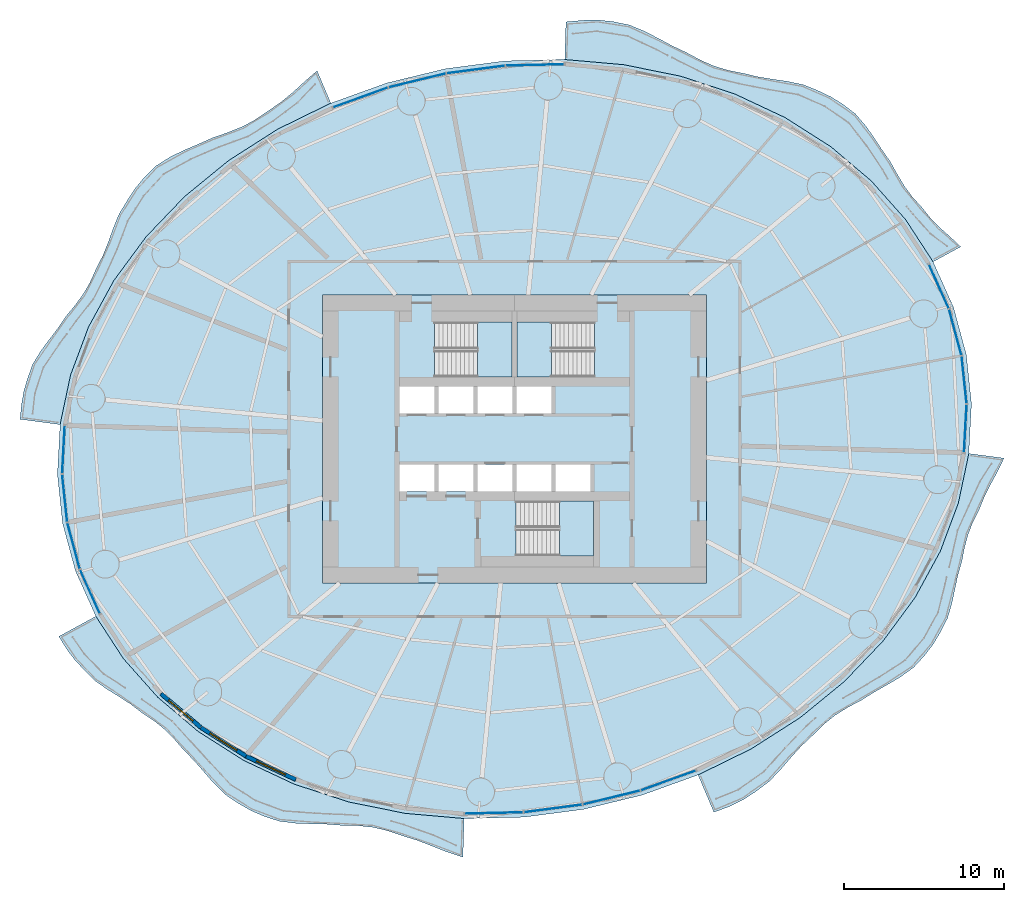
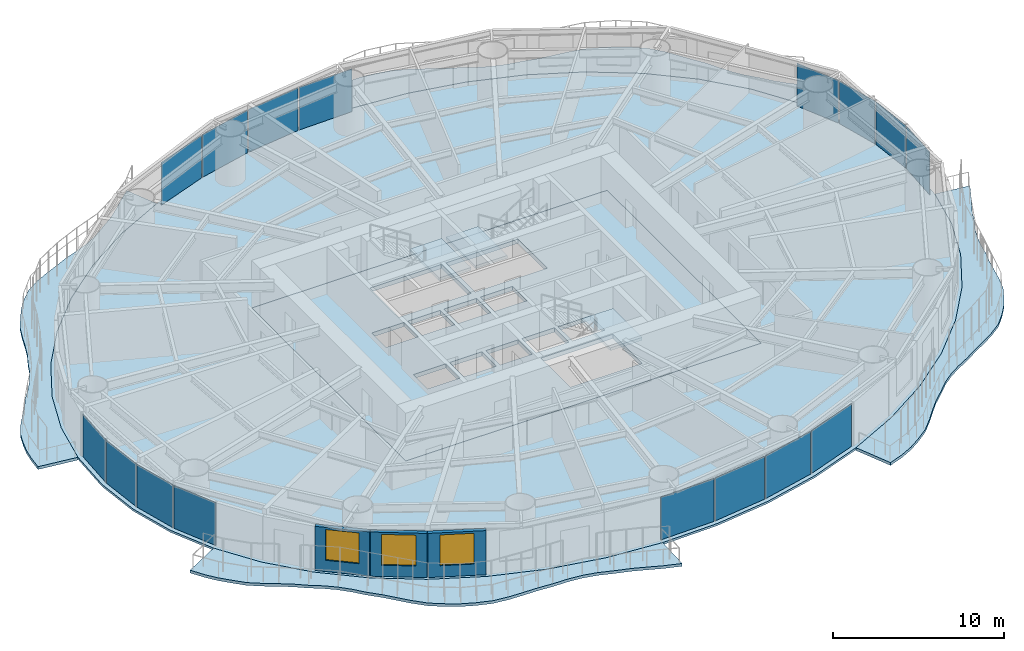
# One storey, part 7 of 17: 16 plates, 9 slabs, 3 walls, 3 windows, 3 openings, 19 elements without a shape of their own.
"""IFC4 building model written with IfcOpenShell, lengths in metres."""

from ifc_helpers import new_model, si_unit, direction, frame, frame_2d, origin, origin_2d, place, context, subcontext, project, spatial, polyline, rectangle, outline, extrude, material, layer, layer_set, type_object, element, fill, aggregate, save


model = new_model("IFC4")

# Units and contexts
model_context = context("Model", 3, precision=1e-05, world=origin(), true_north=direction((0.0, 1.0)))
body_context = subcontext(model_context, "Body", "Model", "MODEL_VIEW")
ifc_project = project(units=[si_unit("LENGTHUNIT", "METRE"), si_unit("AREAUNIT", "SQUARE_METRE"), si_unit("VOLUMEUNIT", "CUBIC_METRE"), si_unit("PLANEANGLEUNIT", "RADIAN"), si_unit("MASSUNIT", "GRAM", prefix="KILO")], contexts=[model_context])

# Site, building, storey
site_placement = place(None, origin())
site = spatial("IfcSite", under=ifc_project, at=site_placement, CompositionType="ELEMENT")
building_placement = place(site_placement, origin())
building = spatial("IfcBuilding", under=site, at=building_placement, Name="Vermilion Reach Broadcast Tower", CompositionType="ELEMENT")
storey_placement = place(building_placement, frame((0.0, 0.0, 76.699951171875)))
storey = spatial("IfcBuildingStorey", under=building, at=storey_placement, Name="L16", CompositionType="ELEMENT", Elevation=76.699951171875)

# Slabs
ifc_material_1 = material(Name="Concrete C40/50", Category="concrete")
ifc_layer_1 = layer(ifc_material_1, 0.199951171875)
ifc_layer_set_1 = layer_set([ifc_layer_1], Name="Balcony slab 200")
slab_type_1 = type_object("IfcSlabType", Name="Balcony slab 200", PredefinedType="FLOOR", material=ifc_layer_set_1)
placement_1 = place(storey_placement, frame((0.0, 0.0, -0.199951171875)))
element("IfcSlab", 1, at=placement_1, inside=storey, type_object=slab_type_1, Name="Balcony slab L16 group 1", PredefinedType="FLOOR", context=body_context, shape_type="SweptSolid", body=[
    extrude(outline(polyline([(20.164306640625, 11.075927734375), (18.4423828125, 13.72119140625), (16.30224609375, 16.131591796875), (13.780517578125, 18.26611328125), (10.920166015625, 20.088134765625), (7.7705078125, 21.56640625), (4.38525390625, 22.67578125), (0.822265625, 23.39697265625), (-2.857666015625, 23.718017578125), (-2.781982421875, 26.07275390625), (-1.716552734375, 26.1728515625), (-0.7880859375, 26.189453125), (0.130615234375, 26.095458984375), (1.1806640625, 25.881103515625), (2.1689453125, 25.469482421875), (3.0078125, 25.03271484375), (3.843994140625, 24.5830078125), (4.77294921875, 24.14404296875), (5.64892578125, 23.672119140625), (6.46875, 23.314208984375), (7.32080078125, 23.0546875), (8.285400390625, 22.8642578125), (9.23388671875, 22.636962890625), (10.126708984375, 22.491943359375), (11.026123046875, 22.361328125), (12.052978515625, 22.14697265625), (12.9931640625, 21.76416015625), (13.76416015625, 21.396484375), (14.485595703125, 20.951171875), (15.302978515625, 20.33349609375), (15.962646484375, 19.56591796875), (16.45263671875, 18.8662109375), (16.923095703125, 18.1435546875), (17.486572265625, 17.344482421875), (17.946044921875, 16.513427734375), (18.3681640625, 15.810546875), (18.846923828125, 15.157958984375), (19.451904296875, 14.4912109375), (20.009765625, 13.800048828125), (20.574462890625, 13.22607421875), (21.181884765625, 12.679931640625), (21.89404296875, 12.020263671875), (20.164306640625, 11.075927734375)])), origin(), (0.0, 0.0, 1.0), 0.199951171875),
])
element("IfcSlab", 2, at=placement_1, inside=storey, type_object=slab_type_1, Name="Balcony slab L16 group 2", PredefinedType="FLOOR", context=body_context, shape_type="SweptSolid", body=[
    extrude(outline(polyline([(-17.4775390625, 20.992431640625), (-20.79443359375, 19.3671875), (-23.858154296875, 17.41064453125), (-26.616455078125, 15.156005859375), (-29.02197265625, 12.64208984375), (-31.033447265625, 9.911865234375), (-32.61669921875, 7.01220703125), (-33.74462890625, 3.992431640625), (-34.397705078125, 0.904296875), (-36.903076171875, 1.234619140625), (-36.801025390625, 2.21923828125), (-36.662109375, 2.996337890625), (-36.443115234375, 3.756591796875), (-36.1123046875, 4.6806640625), (-35.581787109375, 5.538818359375), (-35.079833984375, 6.211669921875), (-34.569091796875, 6.881103515625), (-34.038330078125, 7.661865234375), (-33.431640625, 8.398193359375), (-32.9423828125, 9.072021484375), (-32.529541015625, 9.787841796875), (-32.15234375, 10.625), (-31.721435546875, 11.471923828125), (-31.39501953125, 12.284423828125), (-31.095947265625, 13.1171875), (-30.712646484375, 14.063720703125), (-30.1748046875, 14.94921875), (-29.685791015625, 15.68505859375), (-29.131591796875, 16.358642578125), (-28.39501953125, 17.0791015625), (-27.49755859375, 17.64111328125), (-26.673583984375, 18.04052734375), (-25.819580078125, 18.403076171875), (-24.881103515625, 18.822998046875), (-23.899169921875, 19.163330078125), (-23.040771484375, 19.507568359375), (-22.234375, 19.933349609375), (-21.425048828125, 20.489501953125), (-20.591796875, 21.052734375), (-19.86083984375, 21.659423828125), (-19.1513671875, 22.309814453125), (-18.33544921875, 23.017822265625), (-17.4775390625, 20.992431640625)])), origin(), (0.0, 0.0, 1.0), 0.199951171875),
])
element("IfcSlab", 3, at=placement_1, inside=storey, type_object=slab_type_1, Name="Balcony slab L16 group 3", PredefinedType="FLOOR", context=body_context, shape_type="SweptSolid", body=[
    extrude(outline(polyline([(-32.164306640625, -11.075927734375), (-30.4423828125, -13.72119140625), (-28.30224609375, -16.131591796875), (-25.780517578125, -18.26611328125), (-22.920166015625, -20.088134765625), (-19.7705078125, -21.56640625), (-16.38525390625, -22.67578125), (-12.822265625, -23.39697265625), (-9.142333984375, -23.718017578125), (-9.219970703125, -26.1318359375), (-10.250732421875, -25.797607421875), (-11.146484375, -25.440185546875), (-12.04296875, -25.09228515625), (-13.023193359375, -24.7900390625), (-13.96630859375, -24.468994140625), (-14.8525390625, -24.26611328125), (-15.76025390625, -24.168701171875), (-16.773681640625, -24.146728515625), (-17.779541015625, -24.071044921875), (-18.709716796875, -24.0498046875), (-19.63623046875, -24.01708984375), (-20.692138671875, -23.889404296875), (-21.67041015625, -23.5673828125), (-22.47021484375, -23.224365234375), (-23.22802734375, -22.791259765625), (-24.08837890625, -22.211181640625), (-24.81640625, -21.48681640625), (-25.395263671875, -20.817626953125), (-25.974365234375, -20.14892578125), (-26.65673828125, -19.4560546875), (-27.26611328125, -18.742919921875), (-27.851318359375, -18.156005859375), (-28.494140625, -17.636962890625), (-29.2685546875, -17.12109375), (-29.999267578125, -16.560791015625), (-30.701171875, -16.106201171875), (-31.4189453125, -15.665771484375), (-32.241943359375, -15.093505859375), (-32.927001953125, -14.39697265625), (-33.47119140625, -13.8095703125), (-33.95263671875, -13.181396484375), (-34.476318359375, -12.338134765625), (-32.164306640625, -11.075927734375)])), origin(), (0.0, 0.0, 1.0), 0.199951171875),
])
element("IfcSlab", 4, at=placement_1, inside=storey, type_object=slab_type_1, Name="Balcony slab L16 group 4", PredefinedType="FLOOR", context=body_context, shape_type="SweptSolid", body=[
    extrude(outline(polyline([(5.4775390625, -20.992431640625), (8.79443359375, -19.3671875), (11.858154296875, -17.41064453125), (14.616455078125, -15.156005859375), (17.02197265625, -12.64208984375), (19.033447265625, -9.911865234375), (20.61669921875, -7.01220703125), (21.74462890625, -3.992431640625), (22.397705078125, -0.904296875), (24.595947265625, -1.1943359375), (24.16796875, -2.085205078125), (23.77197265625, -2.80810546875), (23.400634765625, -3.5361328125), (23.056640625, -4.373779296875), (22.64990234375, -5.190673828125), (22.35693359375, -5.941650390625), (22.1435546875, -6.72216796875), (21.964599609375, -7.6279296875), (21.704833984375, -8.54736328125), (21.52490234375, -9.39013671875), (21.346435546875, -10.23388671875), (21.063720703125, -11.205810546875), (20.59521484375, -12.11572265625), (20.156494140625, -12.845458984375), (19.641845703125, -13.51953125), (18.957275390625, -14.26953125), (18.106689453125, -14.884033203125), (17.328857421875, -15.34375), (16.536865234375, -15.789794921875), (15.690673828125, -16.317626953125), (14.801513671875, -16.78955078125), (14.04052734375, -17.26611328125), (13.343994140625, -17.821044921875), (12.651611328125, -18.506103515625), (11.9189453125, -19.1943359375), (11.287841796875, -19.89453125), (10.670166015625, -20.615966796875), (9.932861328125, -21.39306640625), (9.075439453125, -22.03955078125), (8.29541015625, -22.5458984375), (7.466796875, -22.953857421875), (6.46533203125, -23.32421875), (5.4775390625, -20.992431640625)])), origin(), (0.0, 0.0, 1.0), 0.199951171875),
])
ifc_material_2 = material(Name="Concrete C40", Category="concrete")
ifc_layer_2 = layer(ifc_material_2, 0.300048828125)
ifc_layer_set_2 = layer_set([ifc_layer_2], Name="Core floor slab 300 mm Concrete C40")
slab_type_2 = type_object("IfcSlabType", Name="Core floor slab 300 mm Concrete C40", PredefinedType="FLOOR", material=ifc_layer_set_2)
slab_5_placement = place(storey_placement, frame((0.0, 0.0, -0.300048828125)))
element("IfcSlab", 5, at=slab_5_placement, inside=storey, type_object=slab_type_2, Name="L16 core floor", PredefinedType="FLOOR", context=body_context, shape_type="SweptSolid", body=[
    extrude(outline(polyline([(-18.0, -9.0), (6.0, -9.0), (6.0, 9.0), (-18.0, 9.0), (-18.0, -9.0)]), holes=[polyline([(-13.199951171875, 1.60009765625), (-11.00830078125, 1.60009765625), (-11.00830078125, 3.280029296875), (-13.199951171875, 3.280029296875), (-13.199951171875, 1.60009765625)]), polyline([(-10.75830078125, 1.60009765625), (-8.566650390625, 1.60009765625), (-8.566650390625, 3.280029296875), (-10.75830078125, 3.280029296875), (-10.75830078125, 1.60009765625)]), polyline([(-8.316650390625, 1.60009765625), (-6.125, 1.60009765625), (-6.125, 3.280029296875), (-8.316650390625, 3.280029296875), (-8.316650390625, 1.60009765625)]), polyline([(-5.875, 1.60009765625), (-3.683349609375, 1.60009765625), (-3.683349609375, 3.280029296875), (-5.875, 3.280029296875), (-5.875, 1.60009765625)]), polyline([(-13.199951171875, -3.280029296875), (-11.00830078125, -3.280029296875), (-11.00830078125, -1.60009765625), (-13.199951171875, -1.60009765625), (-13.199951171875, -3.280029296875)]), polyline([(-10.75830078125, -3.280029296875), (-8.566650390625, -3.280029296875), (-8.566650390625, -1.60009765625), (-10.75830078125, -1.60009765625), (-10.75830078125, -3.280029296875)]), polyline([(-8.316650390625, -3.280029296875), (-6.125, -3.280029296875), (-6.125, -1.60009765625), (-8.316650390625, -1.60009765625), (-8.316650390625, -3.280029296875)]), polyline([(-5.875, -3.280029296875), (-3.683349609375, -3.280029296875), (-3.683349609375, -1.60009765625), (-5.875, -1.60009765625), (-5.875, -3.280029296875)]), polyline([(-3.433349609375, -3.280029296875), (-1.24169921875, -3.280029296875), (-1.24169921875, -1.60009765625), (-3.433349609375, -1.60009765625), (-3.433349609375, -3.280029296875)]), polyline([(-10.999267578125, 3.8798828125), (-6.14990234375, 3.8798828125), (-6.14990234375, 7.300048828125), (-10.999267578125, 7.300048828125), (-10.999267578125, 3.8798828125)]), polyline([(-1.000732421875, 7.300048828125), (-5.85009765625, 7.300048828125), (-5.85009765625, 3.8798828125), (-1.000732421875, 3.8798828125), (-1.000732421875, 7.300048828125)]), polyline([(-5.8994140625, -7.300048828125), (-1.050048828125, -7.300048828125), (-1.050048828125, -3.8798828125), (-5.8994140625, -3.8798828125), (-5.8994140625, -7.300048828125)])]), origin(), (0.0, 0.0, 1.0), 0.300048828125),
])

# Stair, slab
ifc_material_3 = material(Name="Concrete C40", Category="concrete")
stair_type = type_object("IfcStairType", Name="Exit stair RC 22 risers 168 mm", PredefinedType="HALF_TURN_STAIR", material=ifc_material_3)
placement_2 = place(storey_placement, origin())
stair_1 = element("IfcStair", 6, at=placement_2, inside=storey, type_object=stair_type, Name="L16 Exit stair ST1", PredefinedType="HALF_TURN_STAIR")
ifc_material_4 = material(Name="Concrete C40", Category="concrete")
ifc_layer_3 = layer(ifc_material_4, 0.199951171875)
ifc_layer_set_3 = layer_set([ifc_layer_3], Name="Exit stair landing Concrete C40")
slab_type_3 = type_object("IfcSlabType", Name="Exit stair landing Concrete C40", PredefinedType="LANDING", material=ifc_layer_set_3)
placement_3 = place(storey_placement, frame((0.0, 0.0, 1.650146484375)))
slab_6 = element("IfcSlab", 7, at=placement_3, type_object=slab_type_3, Name="ST1 landing 1", PredefinedType="LANDING", context=body_context, shape_type="SweptSolid", body=[
    extrude(outline(polyline([(-8.300048828125, 3.8798828125), (-6.14990234375, 3.8798828125), (-6.14990234375, 7.300048828125), (-8.300048828125, 7.300048828125), (-8.300048828125, 3.8798828125)])), origin(), (0.0, 0.0, 1.0), 0.199951171875),
])
aggregate(stair_1, [slab_6])

stair_2 = element("IfcStair", 8, at=placement_2, inside=storey, type_object=stair_type, Name="L16 Exit stair ST2", PredefinedType="HALF_TURN_STAIR")
slab_7 = element("IfcSlab", 9, at=placement_3, type_object=slab_type_3, Name="ST2 landing 1", PredefinedType="LANDING", context=body_context, shape_type="SweptSolid", body=[
    extrude(outline(polyline([(-3.699951171875, 7.300048828125), (-5.85009765625, 7.300048828125), (-5.85009765625, 3.8798828125), (-3.699951171875, 3.8798828125), (-3.699951171875, 7.300048828125)])), origin(), (0.0, 0.0, 1.0), 0.199951171875),
])
aggregate(stair_2, [slab_7])

stair_3 = element("IfcStair", 10, at=placement_2, inside=storey, type_object=stair_type, Name="L16 Exit stair ST3", PredefinedType="HALF_TURN_STAIR")
slab_8 = element("IfcSlab", 11, at=placement_3, type_object=slab_type_3, Name="ST3 landing 1", PredefinedType="LANDING", context=body_context, shape_type="SweptSolid", body=[
    extrude(outline(polyline([(-3.199951171875, -7.300048828125), (-1.050048828125, -7.300048828125), (-1.050048828125, -3.8798828125), (-3.199951171875, -3.8798828125), (-3.199951171875, -7.300048828125)])), origin(), (0.0, 0.0, 1.0), 0.199951171875),
])
aggregate(stair_3, [slab_8])

# Slab
ifc_material_5 = material(Name="Concrete C40", Category="concrete")
ifc_layer_4 = layer(ifc_material_5, 0.14990234375)
ifc_layer_set_4 = layer_set([ifc_layer_4], Name="Floor slab Concrete C40 composite 150")
slab_type_4 = type_object("IfcSlabType", Name="Floor slab Concrete C40 composite 150", PredefinedType="FLOOR", material=ifc_layer_set_4)
slab_9_placement = place(storey_placement, frame((0.0, 0.0, -0.14990234375)))
element("IfcSlab", 12, at=slab_9_placement, inside=storey, type_object=slab_type_4, Name="Floor slab L16", PredefinedType="FLOOR", context=body_context, shape_type="SweptSolid", body=[
    extrude(outline(polyline([(22.243408203125, 5.26513671875), (21.4384765625, 8.240966796875), (20.164306640625, 11.075927734375), (18.4423828125, 13.72119140625), (16.30224609375, 16.131591796875), (13.780517578125, 18.26611328125), (10.920166015625, 20.088134765625), (7.7705078125, 21.56640625), (4.38525390625, 22.67578125), (0.822265625, 23.39697265625), (-2.857666015625, 23.718017578125), (-6.591064453125, 23.633056640625), (-10.314453125, 23.143798828125), (-13.964111328125, 22.258544921875), (-17.4775390625, 20.992431640625), (-20.79443359375, 19.3671875), (-23.858154296875, 17.41064453125), (-26.616455078125, 15.156005859375), (-29.02197265625, 12.64208984375), (-31.033447265625, 9.911865234375), (-32.61669921875, 7.01220703125), (-33.74462890625, 3.992431640625), (-34.397705078125, 0.904296875), (-34.56494140625, -2.19921875), (-34.243408203125, -5.26513671875), (-33.4384765625, -8.240966796875), (-32.164306640625, -11.075927734375), (-30.4423828125, -13.72119140625), (-28.30224609375, -16.131591796875), (-25.780517578125, -18.26611328125), (-22.920166015625, -20.088134765625), (-19.7705078125, -21.56640625), (-16.38525390625, -22.67578125), (-12.822265625, -23.39697265625), (-9.142333984375, -23.718017578125), (-5.408935546875, -23.633056640625), (-1.685546875, -23.143798828125), (1.964111328125, -22.258544921875), (5.4775390625, -20.992431640625), (8.79443359375, -19.3671875), (11.858154296875, -17.41064453125), (14.616455078125, -15.156005859375), (17.02197265625, -12.64208984375), (19.033447265625, -9.911865234375), (20.61669921875, -7.01220703125), (21.74462890625, -3.992431640625), (22.397705078125, -0.904296875), (22.56494140625, 2.19921875), (22.243408203125, 5.26513671875)]), holes=[polyline([(-18.0, -9.0), (6.0, -9.0), (6.0, 9.0), (-18.0, 9.0), (-18.0, -9.0)])]), origin(), (0.0, 0.0, 1.0), 0.14990234375),
])

# Curtain wall, plate
ifc_material_6 = material(Name="Low-e laminated clear glass in aluminium frame", Category="aluminium")
curtain_wall_type = type_object("IfcCurtainWallType", Name="Slot curtain wall", PredefinedType="NOTDEFINED", material=ifc_material_6)
curtain_wall_1 = element("IfcCurtainWall", 13, at=placement_2, inside=storey, type_object=curtain_wall_type, Name="Slot curtain wall L16 46", PredefinedType="NOTDEFINED")
ifc_material_7 = material(Name="Low-e laminated clear glass", Category="glass")
ifc_layer_5 = layer(ifc_material_7, 0.028076171875)
ifc_layer_set_5 = layer_set([ifc_layer_5], Name="Slot glass panel")
plate_type = type_object("IfcPlateType", Name="Slot glass panel", PredefinedType="CURTAIN_PANEL", material=ifc_layer_set_5)
plate_1_placement = place(storey_placement, frame((22.1826171875, 0.663330078125, 0.0), z_axis=(0.0, 0.0, 1.0), x_axis=(0.053809064504, 0.99855124284, 0.0)))
plate_1 = element("IfcPlate", 14, at=plate_1_placement, type_object=plate_type, Name="Slot glass panel L16 46", PredefinedType="CURTAIN_PANEL", context=body_context, shape_type="SweptSolid", body=[
    extrude(rectangle(XDim=2.981201171875, YDim=0.028076171875, at=origin_2d()), origin(), (0.0, 0.0, 1.0), 3.050048828125),
])
aggregate(curtain_wall_1, [plate_1])

curtain_wall_2 = element("IfcCurtainWall", 15, at=placement_2, inside=storey, type_object=curtain_wall_type, Name="Slot curtain wall L16 47", PredefinedType="NOTDEFINED")
plate_2_placement = place(storey_placement, frame((22.106689453125, 3.700927734375, 0.0), z_axis=(0.0, 0.0, 1.0), x_axis=(-0.104298987493, 0.994545987478, 0.0)))
plate_2 = element("IfcPlate", 16, at=plate_2_placement, type_object=plate_type, Name="Slot glass panel L16 47", PredefinedType="CURTAIN_PANEL", context=body_context, shape_type="SweptSolid", body=[
    extrude(rectangle(XDim=2.955078125, YDim=0.028076171875, at=origin_2d()), origin(), (0.0, 0.0, 1.0), 3.050048828125),
])
aggregate(curtain_wall_2, [plate_2])

curtain_wall_3 = element("IfcCurtainWall", 17, at=placement_2, inside=storey, type_object=curtain_wall_type, Name="Slot curtain wall L16 00", PredefinedType="NOTDEFINED")
plate_3_placement = place(storey_placement, frame((21.55224609375, 6.675048828125, 0.0), z_axis=(0.0, 0.0, 1.0), x_axis=(-0.261064319567, 0.965321408158, 0.0)))
plate_3 = element("IfcPlate", 18, at=plate_3_placement, type_object=plate_type, Name="Slot glass panel L16 00", PredefinedType="CURTAIN_PANEL", context=body_context, shape_type="SweptSolid", body=[
    extrude(rectangle(XDim=2.955078125, YDim=0.028076171875, at=origin_2d()), origin(), (0.0, 0.0, 1.0), 3.050048828125),
])
aggregate(curtain_wall_3, [plate_3])

curtain_wall_4 = element("IfcCurtainWall", 19, at=placement_2, inside=storey, type_object=curtain_wall_type, Name="Slot curtain wall L16 01", PredefinedType="NOTDEFINED")
plate_4_placement = place(storey_placement, frame((20.528564453125, 9.535888671875, 0.0), z_axis=(0.0, 0.0, 1.0), x_axis=(-0.409995119667, 0.912087716094, 0.0)))
plate_4 = element("IfcPlate", 20, at=plate_4_placement, type_object=plate_type, Name="Slot glass panel L16 01", PredefinedType="CURTAIN_PANEL", context=body_context, shape_type="SweptSolid", body=[
    extrude(rectangle(XDim=2.981201171875, YDim=0.028076171875, at=origin_2d()), origin(), (0.0, 0.0, 1.0), 3.050048828125),
])
aggregate(curtain_wall_4, [plate_4])

curtain_wall_5 = element("IfcCurtainWall", 21, at=placement_2, inside=storey, type_object=curtain_wall_type, Name="Slot curtain wall L16 10", PredefinedType="NOTDEFINED")
plate_5_placement = place(storey_placement, frame((-4.717529296875, 23.3759765625, 0.0), z_axis=(0.0, 0.0, 1.0), x_axis=(-0.999741640963, -0.022729965333, 0.0)))
plate_5 = element("IfcPlate", 22, at=plate_5_placement, type_object=plate_type, Name="Slot glass panel L16 10", PredefinedType="CURTAIN_PANEL", context=body_context, shape_type="SweptSolid", body=[
    extrude(rectangle(XDim=3.621826171875, YDim=0.028076171875, at=origin_2d()), origin(), (0.0, 0.0, 1.0), 3.050048828125),
])
aggregate(curtain_wall_5, [plate_5])

curtain_wall_6 = element("IfcCurtainWall", 23, at=placement_2, inside=storey, type_object=curtain_wall_type, Name="Slot curtain wall L16 11", PredefinedType="NOTDEFINED")
plate_6_placement = place(storey_placement, frame((-8.413818359375, 23.091552734375, 0.0), z_axis=(0.0, 0.0, 1.0), x_axis=(-0.991477447146, -0.13027843951, 0.0)))
plate_6 = element("IfcPlate", 24, at=plate_6_placement, type_object=plate_type, Name="Slot glass panel L16 11", PredefinedType="CURTAIN_PANEL", context=body_context, shape_type="SweptSolid", body=[
    extrude(rectangle(XDim=3.64306640625, YDim=0.028076171875, at=origin_2d()), origin(), (0.0, 0.0, 1.0), 3.050048828125),
])
aggregate(curtain_wall_6, [plate_6])

curtain_wall_7 = element("IfcCurtainWall", 25, at=placement_2, inside=storey, type_object=curtain_wall_type, Name="Slot curtain wall L16 12", PredefinedType="NOTDEFINED")
plate_7_placement = place(storey_placement, frame((-12.068603515625, 22.41015625, 0.0), z_axis=(0.0, 0.0, 1.0), x_axis=(-0.971819926503, -0.23572447996, 0.0)))
plate_7 = element("IfcPlate", 26, at=plate_7_placement, type_object=plate_type, Name="Slot glass panel L16 12", PredefinedType="CURTAIN_PANEL", context=body_context, shape_type="SweptSolid", body=[
    extrude(rectangle(XDim=3.64306640625, YDim=0.028076171875, at=origin_2d()), origin(), (0.0, 0.0, 1.0), 3.050048828125),
])
aggregate(curtain_wall_7, [plate_7])

curtain_wall_8 = element("IfcCurtainWall", 27, at=placement_2, inside=storey, type_object=curtain_wall_type, Name="Slot curtain wall L16 13", PredefinedType="NOTDEFINED")
plate_8_placement = place(storey_placement, frame((-15.619140625, 21.34375, 0.0), z_axis=(0.0, 0.0, 1.0), x_axis=(-0.940776990946, -0.339026036325, 0.0)))
plate_8 = element("IfcPlate", 28, at=plate_8_placement, type_object=plate_type, Name="Slot glass panel L16 13", PredefinedType="CURTAIN_PANEL", context=body_context, shape_type="SweptSolid", body=[
    extrude(rectangle(XDim=3.621826171875, YDim=0.028076171875, at=origin_2d()), origin(), (0.0, 0.0, 1.0), 3.050048828125),
])
aggregate(curtain_wall_8, [plate_8])

curtain_wall_9 = element("IfcCurtainWall", 29, at=placement_2, inside=storey, type_object=curtain_wall_type, Name="Slot curtain wall L16 22", PredefinedType="NOTDEFINED")
plate_9_placement = place(storey_placement, frame((-34.1826171875, -0.663330078125, 0.0), z_axis=(0.0, 0.0, 1.0), x_axis=(-0.053809064504, -0.99855124284, 0.0)))
plate_9 = element("IfcPlate", 30, at=plate_9_placement, type_object=plate_type, Name="Slot glass panel L16 22", PredefinedType="CURTAIN_PANEL", context=body_context, shape_type="SweptSolid", body=[
    extrude(rectangle(XDim=2.981201171875, YDim=0.028076171875, at=origin_2d()), origin(), (0.0, 0.0, 1.0), 3.050048828125),
])
aggregate(curtain_wall_9, [plate_9])

curtain_wall_10 = element("IfcCurtainWall", 31, at=placement_2, inside=storey, type_object=curtain_wall_type, Name="Slot curtain wall L16 23", PredefinedType="NOTDEFINED")
plate_10_placement = place(storey_placement, frame((-34.106689453125, -3.700927734375, 0.0), z_axis=(0.0, 0.0, 1.0), x_axis=(0.104298987493, -0.994545987478, 0.0)))
plate_10 = element("IfcPlate", 32, at=plate_10_placement, type_object=plate_type, Name="Slot glass panel L16 23", PredefinedType="CURTAIN_PANEL", context=body_context, shape_type="SweptSolid", body=[
    extrude(rectangle(XDim=2.955078125, YDim=0.028076171875, at=origin_2d()), origin(), (0.0, 0.0, 1.0), 3.050048828125),
])
aggregate(curtain_wall_10, [plate_10])

curtain_wall_11 = element("IfcCurtainWall", 33, at=placement_2, inside=storey, type_object=curtain_wall_type, Name="Slot curtain wall L16 24", PredefinedType="NOTDEFINED")
plate_11_placement = place(storey_placement, frame((-33.55224609375, -6.675048828125, 0.0), z_axis=(0.0, 0.0, 1.0), x_axis=(0.261064319567, -0.965321408158, 0.0)))
plate_11 = element("IfcPlate", 34, at=plate_11_placement, type_object=plate_type, Name="Slot glass panel L16 24", PredefinedType="CURTAIN_PANEL", context=body_context, shape_type="SweptSolid", body=[
    extrude(rectangle(XDim=2.955078125, YDim=0.028076171875, at=origin_2d()), origin(), (0.0, 0.0, 1.0), 3.050048828125),
])
aggregate(curtain_wall_11, [plate_11])

curtain_wall_12 = element("IfcCurtainWall", 35, at=placement_2, inside=storey, type_object=curtain_wall_type, Name="Slot curtain wall L16 25", PredefinedType="NOTDEFINED")
plate_12_placement = place(storey_placement, frame((-32.528564453125, -9.535888671875, 0.0), z_axis=(0.0, 0.0, 1.0), x_axis=(0.409995119667, -0.912087716094, 0.0)))
plate_12 = element("IfcPlate", 36, at=plate_12_placement, type_object=plate_type, Name="Slot glass panel L16 25", PredefinedType="CURTAIN_PANEL", context=body_context, shape_type="SweptSolid", body=[
    extrude(rectangle(XDim=2.981201171875, YDim=0.028076171875, at=origin_2d()), origin(), (0.0, 0.0, 1.0), 3.050048828125),
])
aggregate(curtain_wall_12, [plate_12])

curtain_wall_13 = element("IfcCurtainWall", 37, at=placement_2, inside=storey, type_object=curtain_wall_type, Name="Slot curtain wall L16 34", PredefinedType="NOTDEFINED")
plate_13_placement = place(storey_placement, frame((-7.282470703125, -23.3759765625, 0.0), z_axis=(0.0, 0.0, 1.0), x_axis=(0.999741640963, 0.022729965333, 0.0)))
plate_13 = element("IfcPlate", 38, at=plate_13_placement, type_object=plate_type, Name="Slot glass panel L16 34", PredefinedType="CURTAIN_PANEL", context=body_context, shape_type="SweptSolid", body=[
    extrude(rectangle(XDim=3.621826171875, YDim=0.028076171875, at=origin_2d()), origin(), (0.0, 0.0, 1.0), 3.050048828125),
])
aggregate(curtain_wall_13, [plate_13])

curtain_wall_14 = element("IfcCurtainWall", 39, at=placement_2, inside=storey, type_object=curtain_wall_type, Name="Slot curtain wall L16 35", PredefinedType="NOTDEFINED")
plate_14_placement = place(storey_placement, frame((-3.586181640625, -23.091552734375, 0.0), z_axis=(0.0, 0.0, 1.0), x_axis=(0.991477447146, 0.13027843951, 0.0)))
plate_14 = element("IfcPlate", 40, at=plate_14_placement, type_object=plate_type, Name="Slot glass panel L16 35", PredefinedType="CURTAIN_PANEL", context=body_context, shape_type="SweptSolid", body=[
    extrude(rectangle(XDim=3.64306640625, YDim=0.028076171875, at=origin_2d()), origin(), (0.0, 0.0, 1.0), 3.050048828125),
])
aggregate(curtain_wall_14, [plate_14])

curtain_wall_15 = element("IfcCurtainWall", 41, at=placement_2, inside=storey, type_object=curtain_wall_type, Name="Slot curtain wall L16 36", PredefinedType="NOTDEFINED")
plate_15_placement = place(storey_placement, frame((0.068603515625, -22.41015625, 0.0), z_axis=(0.0, 0.0, 1.0), x_axis=(0.971819926503, 0.23572447996, 0.0)))
plate_15 = element("IfcPlate", 42, at=plate_15_placement, type_object=plate_type, Name="Slot glass panel L16 36", PredefinedType="CURTAIN_PANEL", context=body_context, shape_type="SweptSolid", body=[
    extrude(rectangle(XDim=3.64306640625, YDim=0.028076171875, at=origin_2d()), origin(), (0.0, 0.0, 1.0), 3.050048828125),
])
aggregate(curtain_wall_15, [plate_15])

curtain_wall_16 = element("IfcCurtainWall", 43, at=placement_2, inside=storey, type_object=curtain_wall_type, Name="Slot curtain wall L16 37", PredefinedType="NOTDEFINED")
plate_16_placement = place(storey_placement, frame((3.619140625, -21.34375, 0.0), z_axis=(0.0, 0.0, 1.0), x_axis=(0.940776990946, 0.339026036325, 0.0)))
plate_16 = element("IfcPlate", 44, at=plate_16_placement, type_object=plate_type, Name="Slot glass panel L16 37", PredefinedType="CURTAIN_PANEL", context=body_context, shape_type="SweptSolid", body=[
    extrude(rectangle(XDim=3.621826171875, YDim=0.028076171875, at=origin_2d()), origin(), (0.0, 0.0, 1.0), 3.050048828125),
])
aggregate(curtain_wall_16, [plate_16])

# Wall, opening, window
ifc_material_8 = material(Name="Terracotta rainscreen cladding", Category="masonry")
ifc_layer_6 = layer(ifc_material_8, 0.25)
ifc_layer_set_6 = layer_set([ifc_layer_6], Name="Terracotta rainscreen wall 250")
wall_type = type_object("IfcWallType", Name="Terracotta rainscreen wall 250", PredefinedType="SOLIDWALL", material=ifc_layer_set_6)
wall_1_placement = place(storey_placement, frame((-28.0830078125, -15.92529296875, 0.0), z_axis=(0.0, 0.0, 1.0), x_axis=(0.763314755693, -0.646026767047, 0.0)))
wall_1 = element("IfcWall", 45, at=wall_1_placement, inside=storey, type_object=wall_type, Name="External wall L16 28", PredefinedType="SOLIDWALL", context=body_context, shape_type="SweptSolid", body=[
    extrude(rectangle(XDim=3.23681640625, YDim=0.25, at=frame_2d((1.618408203125, 0.0))), origin(), (0.0, 0.0, 1.0), 3.150146484375),
])
opening_1_placement = place(wall_1_placement, frame((0.618408203125, 0.0, 0.800048828125)))
opening_1 = element("IfcOpeningElement", 46, at=opening_1_placement, cuts=wall_1, Name="Opening W01", PredefinedType="OPENING", context=body_context, shape_type="SweptSolid", body=[
    extrude(rectangle(XDim=2.0, YDim=2.199951171875, at=frame_2d((1.0, 1.10009765625))), frame((0.0, 0.135009765625, 0.0), z_axis=(0.0, -1.0, 0.0), x_axis=(1.0, 0.0, 0.0)), (0.0, 0.0, 1.0), 0.27001953125),
])
ifc_material_9 = material(Name="Low-e laminated clear glass in aluminium frame", Category="aluminium")
window_type = type_object("IfcWindowType", Name="Punched window 2000 x 2200 sill 800", PartitioningType="SINGLE_PANEL", PredefinedType="WINDOW", material=ifc_material_9)
window_1_placement = place(opening_1_placement, origin())
window_1 = element("IfcWindow", 47, at=window_1_placement, inside=storey, type_object=window_type, Name="Window L16 28", OverallHeight=2.199951171875, OverallWidth=2.0, PartitioningType="SINGLE_PANEL", PredefinedType="WINDOW", context=body_context, shape_type="SweptSolid", body=[
    extrude(rectangle(XDim=2.0, YDim=2.199951171875, at=frame_2d((1.0, 1.10009765625))), frame((0.0, 0.030029296875, 0.0), z_axis=(0.0, -1.0, 0.0), x_axis=(1.0, 0.0, 0.0)), (0.0, 0.0, 1.0), 0.06005859375),
])
fill(opening_1, window_1)

wall_2_placement = place(storey_placement, frame((-25.59228515625, -18.03125, 0.0), z_axis=(0.0, 0.0, 1.0), x_axis=(0.843428771265, -0.537241014632, 0.0)))
wall_2 = element("IfcWall", 48, at=wall_2_placement, inside=storey, type_object=wall_type, Name="External wall L16 29", PredefinedType="SOLIDWALL", context=body_context, shape_type="SweptSolid", body=[
    extrude(rectangle(XDim=3.327392578125, YDim=0.25, at=frame_2d((1.66357421875, 0.0))), origin(), (0.0, 0.0, 1.0), 3.150146484375),
])
opening_2_placement = place(wall_2_placement, frame((0.66357421875, 0.0, 0.800048828125)))
opening_2 = element("IfcOpeningElement", 49, at=opening_2_placement, cuts=wall_2, Name="Opening W01", PredefinedType="OPENING", context=body_context, shape_type="SweptSolid", body=[
    extrude(rectangle(XDim=2.0, YDim=2.199951171875, at=frame_2d((1.0, 1.10009765625))), frame((0.0, 0.135009765625, 0.0), z_axis=(0.0, -1.0, 0.0), x_axis=(1.0, 0.0, 0.0)), (0.0, 0.0, 1.0), 0.27001953125),
])
window_2_placement = place(opening_2_placement, origin())
window_2 = element("IfcWindow", 50, at=window_2_placement, inside=storey, type_object=window_type, Name="Window L16 29", OverallHeight=2.199951171875, OverallWidth=2.0, PartitioningType="SINGLE_PANEL", PredefinedType="WINDOW", context=body_context, shape_type="SweptSolid", body=[
    extrude(rectangle(XDim=2.0, YDim=2.199951171875, at=frame_2d((1.0, 1.10009765625))), frame((0.0, 0.030029296875, 0.0), z_axis=(0.0, -1.0, 0.0), x_axis=(1.0, 0.0, 0.0)), (0.0, 0.0, 1.0), 0.06005859375),
])
fill(opening_2, window_2)

wall_3_placement = place(storey_placement, frame((-22.764892578125, -19.830322265625, 0.0), z_axis=(0.0, 0.0, 1.0), x_axis=(0.905237504744, -0.424905942538, 0.0)))
wall_3 = element("IfcWall", 51, at=wall_3_placement, inside=storey, type_object=wall_type, Name="External wall L16 30", PredefinedType="SOLIDWALL", context=body_context, shape_type="SweptSolid", body=[
    extrude(rectangle(XDim=3.418212890625, YDim=0.25, at=frame_2d((1.708984375, 0.0))), origin(), (0.0, 0.0, 1.0), 3.150146484375),
])
opening_3_placement = place(wall_3_placement, frame((0.708984375, 0.0, 0.800048828125)))
opening_3 = element("IfcOpeningElement", 52, at=opening_3_placement, cuts=wall_3, Name="Opening W01", PredefinedType="OPENING", context=body_context, shape_type="SweptSolid", body=[
    extrude(rectangle(XDim=2.0, YDim=2.199951171875, at=frame_2d((1.0, 1.10009765625))), frame((0.0, 0.135009765625, 0.0), z_axis=(0.0, -1.0, 0.0), x_axis=(1.0, 0.0, 0.0)), (0.0, 0.0, 1.0), 0.27001953125),
])
window_3_placement = place(opening_3_placement, origin())
window_3 = element("IfcWindow", 53, at=window_3_placement, inside=storey, type_object=window_type, Name="Window L16 30", OverallHeight=2.199951171875, OverallWidth=2.0, PartitioningType="SINGLE_PANEL", PredefinedType="WINDOW", context=body_context, shape_type="SweptSolid", body=[
    extrude(rectangle(XDim=2.0, YDim=2.199951171875, at=frame_2d((1.0, 1.10009765625))), frame((0.0, 0.030029296875, 0.0), z_axis=(0.0, -1.0, 0.0), x_axis=(1.0, 0.0, 0.0)), (0.0, 0.0, 1.0), 0.06005859375),
])
fill(opening_3, window_3)

save(model, "model.ifc")
